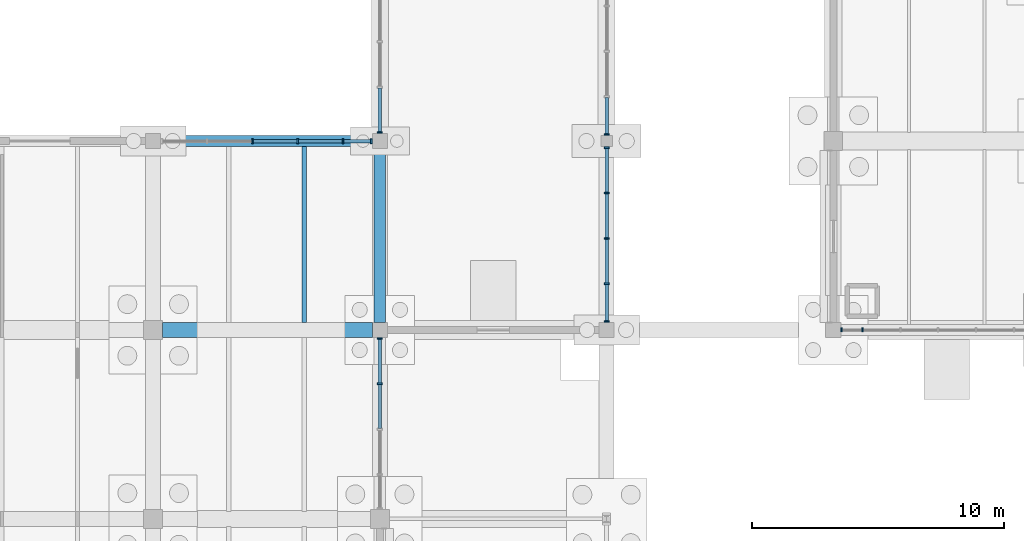
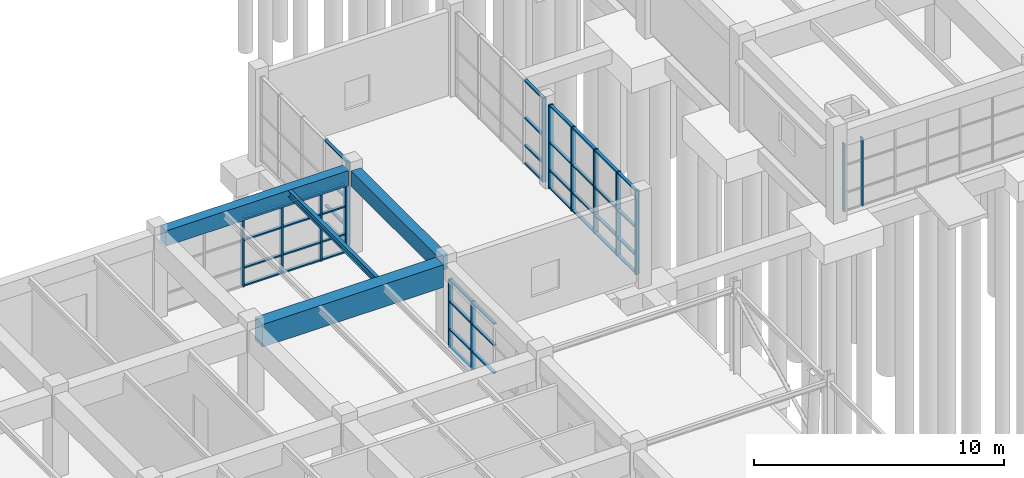
# One storey, part 20 of 93: 58 members, 4 beams, 6 elements without a shape of their own.
"""IFC4 building model written with IfcOpenShell, lengths in metres."""

from ifc_helpers import new_model, si_unit, direction, frame, origin, origin_2d, place, context, subcontext, project, spatial, rectangle, i_section, extrude, material, layer, layer_set, material_profile, profile_set, type_object, element, aggregate, save


model = new_model("IFC4")

# Units and contexts
model_context = context("Model", 3, precision=1e-05, world=origin(), true_north=direction((0.0, 1.0)))
body_context = subcontext(model_context, "Body", "Model", "MODEL_VIEW")
ifc_project = project(units=[si_unit("LENGTHUNIT", "METRE"), si_unit("AREAUNIT", "SQUARE_METRE"), si_unit("VOLUMEUNIT", "CUBIC_METRE"), si_unit("PLANEANGLEUNIT", "RADIAN"), si_unit("MASSUNIT", "GRAM", prefix="KILO")], contexts=[model_context])

# Site, building, storey
site_placement = place(None, origin())
site = spatial("IfcSite", under=ifc_project, at=site_placement, CompositionType="ELEMENT")
building_placement = place(site_placement, origin())
building = spatial("IfcBuilding", under=site, at=building_placement, Name="Marnridge Secondary College", CompositionType="ELEMENT")
storey_placement = place(building_placement, origin())
storey = spatial("IfcBuildingStorey", under=building, at=storey_placement, Name="L00", CompositionType="ELEMENT", Elevation=0.0)

# Beams
ifc_material_1 = material(Name="Concrete C40/50 (AS 3600 N40, 40 MPa)", Category="concrete")
ifc_material_profile_1 = material_profile(ifc_material_1, rectangle(XDim=0.449951171875, YDim=0.75, at=origin_2d()), Name="RC 450x750")
ifc_profile_set_1 = profile_set([ifc_material_profile_1], Name="Concrete C40/50 (AS 3600 N40, 40 MPa)")
beam_type_1 = type_object("IfcBeamType", Name="BM-RC4575-EXT", PredefinedType="SPANDREL", material=ifc_profile_set_1)
beam_1_placement = place(storey_placement, frame((27.2939453125, 45.0, 3.715087890625), z_axis=(1.0, 0.0, 0.0), x_axis=(0.0, 1.0, 0.0)))
element("IfcBeam", 1, at=beam_1_placement, inside=storey, type_object=beam_type_1, Name="Beam BS-L00-0371", PredefinedType="SPANDREL", context=body_context, shape_type="SweptSolid", body=[
    extrude(rectangle(XDim=0.449951171875, YDim=0.75, at=origin_2d()), origin(), (0.0, 0.0, 1.0), 8.412109375),
])
beam_2_placement = place(storey_placement, frame((36.0, 37.7939453125, 3.715087890625), z_axis=(0.0, 1.0, 0.0), x_axis=(-1.0, 0.0, 0.0)))
element("IfcBeam", 2, at=beam_2_placement, inside=storey, type_object=beam_type_1, Name="Beam BS-L00-0372", PredefinedType="SPANDREL", context=body_context, shape_type="SweptSolid", body=[
    extrude(rectangle(XDim=0.449951171875, YDim=0.75, at=origin_2d()), origin(), (0.0, 0.0, 1.0), 6.912109375),
])
ifc_material_2 = material(Name="Concrete C40/50 (AS 3600 N40, 40 MPa)", Category="concrete")
ifc_material_profile_2 = material_profile(ifc_material_2, rectangle(XDim=0.60009765625, YDim=1.10009765625, at=origin_2d()), Name="RC 600x1100")
ifc_profile_set_2 = profile_set([ifc_material_profile_2], Name="Concrete C40/50 (AS 3600 N40, 40 MPa)")
beam_type_2 = type_object("IfcBeamType", Name="BM-RC6011-INT", PredefinedType="BEAM", material=ifc_profile_set_2)
beam_3_placement = place(storey_placement, frame((27.368896484375, 37.5, 3.5400390625), z_axis=(1.0, 0.0, 0.0), x_axis=(0.0, 1.0, 0.0)))
element("IfcBeam", 3, at=beam_3_placement, inside=storey, type_object=beam_type_2, Name="Beam B-L00-0369", PredefinedType="BEAM", context=body_context, shape_type="SweptSolid", body=[
    extrude(rectangle(XDim=0.60009765625, YDim=1.10009765625, at=origin_2d()), origin(), (0.0, 0.0, 1.0), 8.337158203125),
])
ifc_material_3 = material(Name="Structural steel Grade 350 (AS/NZS 3679.1/.2, fy = 340-360 MPa)", Category="steel")
ifc_material_profile_3 = material_profile(ifc_material_3, i_section(OverallWidth=0.166015625, OverallDepth=0.30712890625, WebThickness=0.006591796875, FlangeThickness=0.01171875, FilletRadius=0.011474609375, at=origin_2d()), Name="310UB46.2")
ifc_profile_set_3 = profile_set([ifc_material_profile_3], Name="Structural steel Grade 350 (AS/NZS 3679.1/.2, fy = 340-360 MPa)")
beam_type_3 = type_object("IfcBeamType", Name="BM-UB310A-INT", PredefinedType="BEAM", material=ifc_profile_set_3)
beam_4_placement = place(storey_placement, frame((33.0, 37.7939453125, 3.936279296875), z_axis=(0.0, 1.0, 0.0), x_axis=(-1.0, 0.0, 0.0)))
element("IfcBeam", 4, at=beam_4_placement, inside=storey, type_object=beam_type_3, Name="Beam BJ-L00-0415", PredefinedType="BEAM", context=body_context, shape_type="SweptSolid", body=[
    extrude(i_section(OverallWidth=0.166015625, OverallDepth=0.30712890625, WebThickness=0.006591796875, FlangeThickness=0.01171875, FilletRadius=0.011474609375, at=origin_2d()), origin(), (0.0, 0.0, 1.0), 6.987060546875),
])

# Curtain wall, members
ifc_material_4 = material(Name="Thermally broken aluminium and low-E glazing", Category="aluminium")
ifc_layer_1 = layer(ifc_material_4, 0.159912109375)
ifc_layer_set_1 = layer_set([ifc_layer_1], Name="CW-MOD-1500")
curtain_wall_type_1 = type_object("IfcCurtainWallType", Name="CW-MOD-1500", PredefinedType="NOTDEFINED", material=ifc_layer_set_1)
curtain_wall_1_placement = place(storey_placement, origin())
curtain_wall_1 = element("IfcCurtainWall", 5, at=curtain_wall_1_placement, inside=storey, type_object=curtain_wall_type_1, Name="Unitised curtain wall CW-L00-006", PredefinedType="NOTDEFINED")
ifc_material_5 = material(Name="Anodised aluminium 6063-T6", Category="aluminium")
ifc_material_profile_4 = material_profile(ifc_material_5, rectangle(XDim=0.06005859375, YDim=0.159912109375, at=origin_2d()), Name="ALU 60x160")
ifc_profile_set_4 = profile_set([ifc_material_profile_4], Name="Anodised aluminium 6063-T6")
member_type_1 = type_object("IfcMemberType", Name="CWM-ALU160", PredefinedType="MULLION", material=ifc_profile_set_4)
member_1_placement = place(storey_placement, frame((55.166015625, 37.5, 0.0), z_axis=(0.0, 0.0, 1.0), x_axis=(-1.0, 0.0, 0.0)))
member_1 = element("IfcMember", 6, at=member_1_placement, type_object=member_type_1, Name="CW-L00-006 mullion 6", PredefinedType="MULLION", context=body_context, shape_type="SweptSolid", body=[
    extrude(rectangle(XDim=0.06005859375, YDim=0.159912109375, at=origin_2d()), origin(), (0.0, 0.0, 1.0), 3.322021484375),
])
member_2_placement = place(storey_placement, frame((54.333984375, 37.5, 0.0), z_axis=(0.0, 0.0, 1.0), x_axis=(-1.0, 0.0, 0.0)))
member_2 = element("IfcMember", 7, at=member_2_placement, type_object=member_type_1, Name="CW-L00-006 mullion 7", PredefinedType="MULLION", context=body_context, shape_type="SweptSolid", body=[
    extrude(rectangle(XDim=0.06005859375, YDim=0.159912109375, at=origin_2d()), origin(), (0.0, 0.0, 1.0), 3.322021484375),
])
aggregate(curtain_wall_1, [member_1, member_2])

ifc_material_6 = material(Name="Bronze-anodised aluminium and solar-control glazing", Category="aluminium")
ifc_layer_2 = layer(ifc_material_6, 0.199951171875)
ifc_layer_set_2 = layer_set([ifc_layer_2], Name="CW-MOD-1800")
curtain_wall_type_2 = type_object("IfcCurtainWallType", Name="CW-MOD-1800", PredefinedType="NOTDEFINED", material=ifc_layer_set_2)
curtain_wall_2_placement = place(storey_placement, origin())
curtain_wall_2 = element("IfcCurtainWall", 8, at=curtain_wall_2_placement, inside=storey, type_object=curtain_wall_type_2, Name="Unitised curtain wall CW-L00-019", PredefinedType="NOTDEFINED")
ifc_material_7 = material(Name="Bronze-anodised aluminium 6063-T6", Category="aluminium")
ifc_material_profile_5 = material_profile(ifc_material_7, rectangle(XDim=0.070068359375, YDim=0.199951171875, at=origin_2d()), Name="ALU 70x200")
ifc_profile_set_5 = profile_set([ifc_material_profile_5], Name="Bronze-anodised aluminium 6063-T6")
member_type_2 = type_object("IfcMemberType", Name="CWM-ALU200", PredefinedType="MULLION", material=ifc_profile_set_5)
member_3_placement = place(storey_placement, frame((30.93896484375, 45.0, 0.0), z_axis=(0.0, 0.0, 1.0), x_axis=(1.0, 0.0, 0.0)))
member_3 = element("IfcMember", 9, at=member_3_placement, type_object=member_type_2, Name="CW-L00-019 mullion 3", PredefinedType="MULLION", context=body_context, shape_type="SweptSolid", body=[
    extrude(rectangle(XDim=0.070068359375, YDim=0.199951171875, at=origin_2d()), origin(), (0.0, 0.0, 1.0), 3.33203125),
])
member_4_placement = place(storey_placement, frame((32.739013671875, 45.0, 0.0), z_axis=(0.0, 0.0, 1.0), x_axis=(1.0, 0.0, 0.0)))
member_4 = element("IfcMember", 10, at=member_4_placement, type_object=member_type_2, Name="CW-L00-019 mullion 4", PredefinedType="MULLION", context=body_context, shape_type="SweptSolid", body=[
    extrude(rectangle(XDim=0.070068359375, YDim=0.199951171875, at=origin_2d()), origin(), (0.0, 0.0, 1.0), 3.33203125),
])
member_5_placement = place(storey_placement, frame((34.5390625, 45.0, 0.0), z_axis=(0.0, 0.0, 1.0), x_axis=(1.0, 0.0, 0.0)))
member_5 = element("IfcMember", 11, at=member_5_placement, type_object=member_type_2, Name="CW-L00-019 mullion 5", PredefinedType="MULLION", context=body_context, shape_type="SweptSolid", body=[
    extrude(rectangle(XDim=0.070068359375, YDim=0.199951171875, at=origin_2d()), origin(), (0.0, 0.0, 1.0), 3.33203125),
])
member_6_placement = place(storey_placement, frame((35.660888671875, 45.0, 0.0), z_axis=(0.0, 0.0, 1.0), x_axis=(1.0, 0.0, 0.0)))
member_6 = element("IfcMember", 12, at=member_6_placement, type_object=member_type_2, Name="CW-L00-019 mullion 6", PredefinedType="MULLION", context=body_context, shape_type="SweptSolid", body=[
    extrude(rectangle(XDim=0.070068359375, YDim=0.199951171875, at=origin_2d()), origin(), (0.0, 0.0, 1.0), 3.33203125),
])

# Curtain wall, member
curtain_wall_3_placement = place(storey_placement, origin())
curtain_wall_3 = element("IfcCurtainWall", 13, at=curtain_wall_3_placement, inside=storey, type_object=curtain_wall_type_2, Name="Unitised curtain wall CW-L00-020", PredefinedType="NOTDEFINED")
member_7_placement = place(storey_placement, frame((36.0, 45.339111328125, 0.0), z_axis=(0.0, 0.0, 1.0), x_axis=(0.0, 1.0, 0.0)))
member_7 = element("IfcMember", 14, at=member_7_placement, type_object=member_type_2, Name="CW-L00-020 mullion 1", PredefinedType="MULLION", context=body_context, shape_type="SweptSolid", body=[
    extrude(rectangle(XDim=0.070068359375, YDim=0.199951171875, at=origin_2d()), origin(), (0.0, 0.0, 1.0), 4.090087890625),
])

curtain_wall_4_placement = place(storey_placement, origin())
curtain_wall_4 = element("IfcCurtainWall", 15, at=curtain_wall_4_placement, inside=storey, type_object=curtain_wall_type_2, Name="Unitised curtain wall CW-L00-021", PredefinedType="NOTDEFINED")
member_8_placement = place(storey_placement, frame((45.0, 45.263916015625, 0.0), z_axis=(0.0, 0.0, 1.0), x_axis=(0.0, -1.0, 0.0)))
member_8 = element("IfcMember", 16, at=member_8_placement, type_object=member_type_2, Name="CW-L00-021 mullion 5", PredefinedType="MULLION", context=body_context, shape_type="SweptSolid", body=[
    extrude(rectangle(XDim=0.070068359375, YDim=0.199951171875, at=origin_2d()), origin(), (0.0, 0.0, 1.0), 4.090087890625),
])

# Curtain wall, members
curtain_wall_5_placement = place(storey_placement, origin())
curtain_wall_5 = element("IfcCurtainWall", 17, at=curtain_wall_5_placement, inside=storey, type_object=curtain_wall_type_2, Name="Unitised curtain wall CW-L00-022", PredefinedType="NOTDEFINED")
member_9_placement = place(storey_placement, frame((45.0, 44.736083984375, 0.0), z_axis=(0.0, 0.0, 1.0), x_axis=(0.0, -1.0, 0.0)))
member_9 = element("IfcMember", 18, at=member_9_placement, type_object=member_type_2, Name="CW-L00-022 mullion 1", PredefinedType="MULLION", context=body_context, shape_type="SweptSolid", body=[
    extrude(rectangle(XDim=0.070068359375, YDim=0.199951171875, at=origin_2d()), origin(), (0.0, 0.0, 1.0), 4.090087890625),
])
member_10_placement = place(storey_placement, frame((45.0, 42.93603515625, 0.0), z_axis=(0.0, 0.0, 1.0), x_axis=(0.0, -1.0, 0.0)))
member_10 = element("IfcMember", 19, at=member_10_placement, type_object=member_type_2, Name="CW-L00-022 mullion 2", PredefinedType="MULLION", context=body_context, shape_type="SweptSolid", body=[
    extrude(rectangle(XDim=0.070068359375, YDim=0.199951171875, at=origin_2d()), origin(), (0.0, 0.0, 1.0), 4.090087890625),
])
member_11_placement = place(storey_placement, frame((45.0, 41.135986328125, 0.0), z_axis=(0.0, 0.0, 1.0), x_axis=(0.0, -1.0, 0.0)))
member_11 = element("IfcMember", 20, at=member_11_placement, type_object=member_type_2, Name="CW-L00-022 mullion 3", PredefinedType="MULLION", context=body_context, shape_type="SweptSolid", body=[
    extrude(rectangle(XDim=0.070068359375, YDim=0.199951171875, at=origin_2d()), origin(), (0.0, 0.0, 1.0), 4.090087890625),
])
member_12_placement = place(storey_placement, frame((45.0, 39.3359375, 0.0), z_axis=(0.0, 0.0, 1.0), x_axis=(0.0, -1.0, 0.0)))
member_12 = element("IfcMember", 21, at=member_12_placement, type_object=member_type_2, Name="CW-L00-022 mullion 4", PredefinedType="MULLION", context=body_context, shape_type="SweptSolid", body=[
    extrude(rectangle(XDim=0.070068359375, YDim=0.199951171875, at=origin_2d()), origin(), (0.0, 0.0, 1.0), 4.090087890625),
])
member_13_placement = place(storey_placement, frame((45.0, 37.839111328125, 0.0), z_axis=(0.0, 0.0, 1.0), x_axis=(0.0, -1.0, 0.0)))
member_13 = element("IfcMember", 22, at=member_13_placement, type_object=member_type_2, Name="CW-L00-022 mullion 5", PredefinedType="MULLION", context=body_context, shape_type="SweptSolid", body=[
    extrude(rectangle(XDim=0.070068359375, YDim=0.199951171875, at=origin_2d()), origin(), (0.0, 0.0, 1.0), 4.090087890625),
])

curtain_wall_6_placement = place(storey_placement, origin())
curtain_wall_6 = element("IfcCurtainWall", 23, at=curtain_wall_6_placement, inside=storey, type_object=curtain_wall_type_2, Name="Unitised curtain wall CW-L00-023", PredefinedType="NOTDEFINED")
member_14_placement = place(storey_placement, frame((36.0, 37.160888671875, 0.0), z_axis=(0.0, 0.0, 1.0), x_axis=(0.0, -1.0, 0.0)))
member_14 = element("IfcMember", 24, at=member_14_placement, type_object=member_type_2, Name="CW-L00-023 mullion 1", PredefinedType="MULLION", context=body_context, shape_type="SweptSolid", body=[
    extrude(rectangle(XDim=0.070068359375, YDim=0.199951171875, at=origin_2d()), origin(), (0.0, 0.0, 1.0), 3.33203125),
])
member_15_placement = place(storey_placement, frame((36.0, 35.361083984375, 0.0), z_axis=(0.0, 0.0, 1.0), x_axis=(0.0, -1.0, 0.0)))
member_15 = element("IfcMember", 25, at=member_15_placement, type_object=member_type_2, Name="CW-L00-023 mullion 2", PredefinedType="MULLION", context=body_context, shape_type="SweptSolid", body=[
    extrude(rectangle(XDim=0.070068359375, YDim=0.199951171875, at=origin_2d()), origin(), (0.0, 0.0, 1.0), 3.33203125),
])

# Member
ifc_material_8 = material(Name="Anodised aluminium 6063-T6", Category="aluminium")
ifc_material_profile_6 = material_profile(ifc_material_8, rectangle(XDim=0.06494140625, YDim=0.139892578125, at=origin_2d()), Name="ALU 65x140")
ifc_profile_set_6 = profile_set([ifc_material_profile_6], Name="Anodised aluminium 6063-T6")
member_type_3 = type_object("IfcMemberType", Name="CWT-ALU140", PredefinedType="USERDEFINED", material=ifc_profile_set_6)
member_16_placement = place(storey_placement, frame((30.97412109375, 45.0, 0.032470703125), z_axis=(1.0, 0.0, 0.0), x_axis=(0.0, 0.0, 1.0)))
member_16 = element("IfcMember", 26, at=member_16_placement, type_object=member_type_3, Name="CW-L00-019 transom 3.1", ObjectType="TRANSOM", PredefinedType="USERDEFINED", context=body_context, shape_type="SweptSolid", body=[
    extrude(rectangle(XDim=0.06494140625, YDim=0.139892578125, at=origin_2d()), origin(), (0.0, 0.0, 1.0), 1.72998046875),
])

member_17_placement = place(storey_placement, frame((30.97412109375, 45.0, 0.89990234375), z_axis=(1.0, 0.0, 0.0), x_axis=(0.0, 0.0, 1.0)))
member_17 = element("IfcMember", 27, at=member_17_placement, type_object=member_type_3, Name="CW-L00-019 transom 3.2", ObjectType="TRANSOM", PredefinedType="USERDEFINED", context=body_context, shape_type="SweptSolid", body=[
    extrude(rectangle(XDim=0.06494140625, YDim=0.139892578125, at=origin_2d()), origin(), (0.0, 0.0, 1.0), 1.72998046875),
])

member_18_placement = place(storey_placement, frame((30.97412109375, 45.0, 2.25), z_axis=(1.0, 0.0, 0.0), x_axis=(0.0, 0.0, 1.0)))
member_18 = element("IfcMember", 28, at=member_18_placement, type_object=member_type_3, Name="CW-L00-019 transom 3.3", ObjectType="TRANSOM", PredefinedType="USERDEFINED", context=body_context, shape_type="SweptSolid", body=[
    extrude(rectangle(XDim=0.06494140625, YDim=0.139892578125, at=origin_2d()), origin(), (0.0, 0.0, 1.0), 1.72998046875),
])

member_19_placement = place(storey_placement, frame((30.97412109375, 45.0, 3.299560546875), z_axis=(1.0, 0.0, 0.0), x_axis=(0.0, 0.0, 1.0)))
member_19 = element("IfcMember", 29, at=member_19_placement, type_object=member_type_3, Name="CW-L00-019 transom 3.4", ObjectType="TRANSOM", PredefinedType="USERDEFINED", context=body_context, shape_type="SweptSolid", body=[
    extrude(rectangle(XDim=0.06494140625, YDim=0.139892578125, at=origin_2d()), origin(), (0.0, 0.0, 1.0), 1.72998046875),
])

member_20_placement = place(storey_placement, frame((32.77392578125, 45.0, 0.032470703125), z_axis=(1.0, 0.0, 0.0), x_axis=(0.0, 0.0, 1.0)))
member_20 = element("IfcMember", 30, at=member_20_placement, type_object=member_type_3, Name="CW-L00-019 transom 4.1", ObjectType="TRANSOM", PredefinedType="USERDEFINED", context=body_context, shape_type="SweptSolid", body=[
    extrude(rectangle(XDim=0.06494140625, YDim=0.139892578125, at=origin_2d()), origin(), (0.0, 0.0, 1.0), 1.72998046875),
])

member_21_placement = place(storey_placement, frame((32.77392578125, 45.0, 0.89990234375), z_axis=(1.0, 0.0, 0.0), x_axis=(0.0, 0.0, 1.0)))
member_21 = element("IfcMember", 31, at=member_21_placement, type_object=member_type_3, Name="CW-L00-019 transom 4.2", ObjectType="TRANSOM", PredefinedType="USERDEFINED", context=body_context, shape_type="SweptSolid", body=[
    extrude(rectangle(XDim=0.06494140625, YDim=0.139892578125, at=origin_2d()), origin(), (0.0, 0.0, 1.0), 1.72998046875),
])

member_22_placement = place(storey_placement, frame((32.77392578125, 45.0, 2.25), z_axis=(1.0, 0.0, 0.0), x_axis=(0.0, 0.0, 1.0)))
member_22 = element("IfcMember", 32, at=member_22_placement, type_object=member_type_3, Name="CW-L00-019 transom 4.3", ObjectType="TRANSOM", PredefinedType="USERDEFINED", context=body_context, shape_type="SweptSolid", body=[
    extrude(rectangle(XDim=0.06494140625, YDim=0.139892578125, at=origin_2d()), origin(), (0.0, 0.0, 1.0), 1.72998046875),
])

member_23_placement = place(storey_placement, frame((32.77392578125, 45.0, 3.299560546875), z_axis=(1.0, 0.0, 0.0), x_axis=(0.0, 0.0, 1.0)))
member_23 = element("IfcMember", 33, at=member_23_placement, type_object=member_type_3, Name="CW-L00-019 transom 4.4", ObjectType="TRANSOM", PredefinedType="USERDEFINED", context=body_context, shape_type="SweptSolid", body=[
    extrude(rectangle(XDim=0.06494140625, YDim=0.139892578125, at=origin_2d()), origin(), (0.0, 0.0, 1.0), 1.72998046875),
])

member_24_placement = place(storey_placement, frame((34.573974609375, 45.0, 0.032470703125), z_axis=(1.0, 0.0, 0.0), x_axis=(0.0, 0.0, 1.0)))
member_24 = element("IfcMember", 34, at=member_24_placement, type_object=member_type_3, Name="CW-L00-019 transom 5.1", ObjectType="TRANSOM", PredefinedType="USERDEFINED", context=body_context, shape_type="SweptSolid", body=[
    extrude(rectangle(XDim=0.06494140625, YDim=0.139892578125, at=origin_2d()), origin(), (0.0, 0.0, 1.0), 1.052001953125),
])

member_25_placement = place(storey_placement, frame((34.573974609375, 45.0, 0.89990234375), z_axis=(1.0, 0.0, 0.0), x_axis=(0.0, 0.0, 1.0)))
member_25 = element("IfcMember", 35, at=member_25_placement, type_object=member_type_3, Name="CW-L00-019 transom 5.2", ObjectType="TRANSOM", PredefinedType="USERDEFINED", context=body_context, shape_type="SweptSolid", body=[
    extrude(rectangle(XDim=0.06494140625, YDim=0.139892578125, at=origin_2d()), origin(), (0.0, 0.0, 1.0), 1.052001953125),
])

member_26_placement = place(storey_placement, frame((34.573974609375, 45.0, 2.25), z_axis=(1.0, 0.0, 0.0), x_axis=(0.0, 0.0, 1.0)))
member_26 = element("IfcMember", 36, at=member_26_placement, type_object=member_type_3, Name="CW-L00-019 transom 5.3", ObjectType="TRANSOM", PredefinedType="USERDEFINED", context=body_context, shape_type="SweptSolid", body=[
    extrude(rectangle(XDim=0.06494140625, YDim=0.139892578125, at=origin_2d()), origin(), (0.0, 0.0, 1.0), 1.052001953125),
])

member_27_placement = place(storey_placement, frame((34.573974609375, 45.0, 3.299560546875), z_axis=(1.0, 0.0, 0.0), x_axis=(0.0, 0.0, 1.0)))
member_27 = element("IfcMember", 37, at=member_27_placement, type_object=member_type_3, Name="CW-L00-019 transom 5.4", ObjectType="TRANSOM", PredefinedType="USERDEFINED", context=body_context, shape_type="SweptSolid", body=[
    extrude(rectangle(XDim=0.06494140625, YDim=0.139892578125, at=origin_2d()), origin(), (0.0, 0.0, 1.0), 1.052001953125),
])

aggregate(curtain_wall_2, [member_3, member_4, member_5, member_6, member_16, member_17, member_18, member_19, member_20, member_21, member_22, member_23, member_24, member_25, member_26, member_27])

member_28_placement = place(storey_placement, frame((36.0, 45.3740234375, 0.032470703125), z_axis=(0.0, 1.0, 0.0), x_axis=(0.0, 0.0, 1.0)))
member_28 = element("IfcMember", 38, at=member_28_placement, type_object=member_type_3, Name="CW-L00-020 transom 1.1", ObjectType="TRANSOM", PredefinedType="USERDEFINED", context=body_context, shape_type="SweptSolid", body=[
    extrude(rectangle(XDim=0.06494140625, YDim=0.139892578125, at=origin_2d()), origin(), (0.0, 0.0, 1.0), 1.72998046875),
])

member_29_placement = place(storey_placement, frame((36.0, 45.3740234375, 0.89990234375), z_axis=(0.0, 1.0, 0.0), x_axis=(0.0, 0.0, 1.0)))
member_29 = element("IfcMember", 39, at=member_29_placement, type_object=member_type_3, Name="CW-L00-020 transom 1.2", ObjectType="TRANSOM", PredefinedType="USERDEFINED", context=body_context, shape_type="SweptSolid", body=[
    extrude(rectangle(XDim=0.06494140625, YDim=0.139892578125, at=origin_2d()), origin(), (0.0, 0.0, 1.0), 1.72998046875),
])

member_30_placement = place(storey_placement, frame((36.0, 45.3740234375, 2.25), z_axis=(0.0, 1.0, 0.0), x_axis=(0.0, 0.0, 1.0)))
member_30 = element("IfcMember", 40, at=member_30_placement, type_object=member_type_3, Name="CW-L00-020 transom 1.3", ObjectType="TRANSOM", PredefinedType="USERDEFINED", context=body_context, shape_type="SweptSolid", body=[
    extrude(rectangle(XDim=0.06494140625, YDim=0.139892578125, at=origin_2d()), origin(), (0.0, 0.0, 1.0), 1.72998046875),
])

member_31_placement = place(storey_placement, frame((36.0, 45.3740234375, 4.0576171875), z_axis=(0.0, 1.0, 0.0), x_axis=(0.0, 0.0, 1.0)))
member_31 = element("IfcMember", 41, at=member_31_placement, type_object=member_type_3, Name="CW-L00-020 transom 1.4", ObjectType="TRANSOM", PredefinedType="USERDEFINED", context=body_context, shape_type="SweptSolid", body=[
    extrude(rectangle(XDim=0.06494140625, YDim=0.139892578125, at=origin_2d()), origin(), (0.0, 0.0, 1.0), 1.72998046875),
])

aggregate(curtain_wall_3, [member_7, member_28, member_29, member_30, member_31])

member_32_placement = place(storey_placement, frame((45.0, 46.72607421875, 0.032470703125), z_axis=(0.0, -1.0, 0.0), x_axis=(0.0, 0.0, 1.0)))
member_32 = element("IfcMember", 42, at=member_32_placement, type_object=member_type_3, Name="CW-L00-021 transom 4.1", ObjectType="TRANSOM", PredefinedType="USERDEFINED", context=body_context, shape_type="SweptSolid", body=[
    extrude(rectangle(XDim=0.06494140625, YDim=0.139892578125, at=origin_2d()), origin(), (0.0, 0.0, 1.0), 1.427001953125),
])

member_33_placement = place(storey_placement, frame((45.0, 46.72607421875, 0.89990234375), z_axis=(0.0, -1.0, 0.0), x_axis=(0.0, 0.0, 1.0)))
member_33 = element("IfcMember", 43, at=member_33_placement, type_object=member_type_3, Name="CW-L00-021 transom 4.2", ObjectType="TRANSOM", PredefinedType="USERDEFINED", context=body_context, shape_type="SweptSolid", body=[
    extrude(rectangle(XDim=0.06494140625, YDim=0.139892578125, at=origin_2d()), origin(), (0.0, 0.0, 1.0), 1.427001953125),
])

member_34_placement = place(storey_placement, frame((45.0, 46.72607421875, 2.25), z_axis=(0.0, -1.0, 0.0), x_axis=(0.0, 0.0, 1.0)))
member_34 = element("IfcMember", 44, at=member_34_placement, type_object=member_type_3, Name="CW-L00-021 transom 4.3", ObjectType="TRANSOM", PredefinedType="USERDEFINED", context=body_context, shape_type="SweptSolid", body=[
    extrude(rectangle(XDim=0.06494140625, YDim=0.139892578125, at=origin_2d()), origin(), (0.0, 0.0, 1.0), 1.427001953125),
])

member_35_placement = place(storey_placement, frame((45.0, 46.72607421875, 4.0576171875), z_axis=(0.0, -1.0, 0.0), x_axis=(0.0, 0.0, 1.0)))
member_35 = element("IfcMember", 45, at=member_35_placement, type_object=member_type_3, Name="CW-L00-021 transom 4.4", ObjectType="TRANSOM", PredefinedType="USERDEFINED", context=body_context, shape_type="SweptSolid", body=[
    extrude(rectangle(XDim=0.06494140625, YDim=0.139892578125, at=origin_2d()), origin(), (0.0, 0.0, 1.0), 1.427001953125),
])

aggregate(curtain_wall_4, [member_8, member_32, member_33, member_34, member_35])

member_36_placement = place(storey_placement, frame((45.0, 44.700927734375, 0.032470703125), z_axis=(0.0, -1.0, 0.0), x_axis=(0.0, 0.0, 1.0)))
member_36 = element("IfcMember", 46, at=member_36_placement, type_object=member_type_3, Name="CW-L00-022 transom 1.1", ObjectType="TRANSOM", PredefinedType="USERDEFINED", context=body_context, shape_type="SweptSolid", body=[
    extrude(rectangle(XDim=0.06494140625, YDim=0.139892578125, at=origin_2d()), origin(), (0.0, 0.0, 1.0), 1.72998046875),
])

member_37_placement = place(storey_placement, frame((45.0, 44.700927734375, 0.89990234375), z_axis=(0.0, -1.0, 0.0), x_axis=(0.0, 0.0, 1.0)))
member_37 = element("IfcMember", 47, at=member_37_placement, type_object=member_type_3, Name="CW-L00-022 transom 1.2", ObjectType="TRANSOM", PredefinedType="USERDEFINED", context=body_context, shape_type="SweptSolid", body=[
    extrude(rectangle(XDim=0.06494140625, YDim=0.139892578125, at=origin_2d()), origin(), (0.0, 0.0, 1.0), 1.72998046875),
])

member_38_placement = place(storey_placement, frame((45.0, 44.700927734375, 2.25), z_axis=(0.0, -1.0, 0.0), x_axis=(0.0, 0.0, 1.0)))
member_38 = element("IfcMember", 48, at=member_38_placement, type_object=member_type_3, Name="CW-L00-022 transom 1.3", ObjectType="TRANSOM", PredefinedType="USERDEFINED", context=body_context, shape_type="SweptSolid", body=[
    extrude(rectangle(XDim=0.06494140625, YDim=0.139892578125, at=origin_2d()), origin(), (0.0, 0.0, 1.0), 1.72998046875),
])

member_39_placement = place(storey_placement, frame((45.0, 44.700927734375, 4.0576171875), z_axis=(0.0, -1.0, 0.0), x_axis=(0.0, 0.0, 1.0)))
member_39 = element("IfcMember", 49, at=member_39_placement, type_object=member_type_3, Name="CW-L00-022 transom 1.4", ObjectType="TRANSOM", PredefinedType="USERDEFINED", context=body_context, shape_type="SweptSolid", body=[
    extrude(rectangle(XDim=0.06494140625, YDim=0.139892578125, at=origin_2d()), origin(), (0.0, 0.0, 1.0), 1.72998046875),
])

member_40_placement = place(storey_placement, frame((45.0, 42.90087890625, 0.032470703125), z_axis=(0.0, -1.0, 0.0), x_axis=(0.0, 0.0, 1.0)))
member_40 = element("IfcMember", 50, at=member_40_placement, type_object=member_type_3, Name="CW-L00-022 transom 2.1", ObjectType="TRANSOM", PredefinedType="USERDEFINED", context=body_context, shape_type="SweptSolid", body=[
    extrude(rectangle(XDim=0.06494140625, YDim=0.139892578125, at=origin_2d()), origin(), (0.0, 0.0, 1.0), 1.72998046875),
])

member_41_placement = place(storey_placement, frame((45.0, 42.90087890625, 0.89990234375), z_axis=(0.0, -1.0, 0.0), x_axis=(0.0, 0.0, 1.0)))
member_41 = element("IfcMember", 51, at=member_41_placement, type_object=member_type_3, Name="CW-L00-022 transom 2.2", ObjectType="TRANSOM", PredefinedType="USERDEFINED", context=body_context, shape_type="SweptSolid", body=[
    extrude(rectangle(XDim=0.06494140625, YDim=0.139892578125, at=origin_2d()), origin(), (0.0, 0.0, 1.0), 1.72998046875),
])

member_42_placement = place(storey_placement, frame((45.0, 42.90087890625, 2.25), z_axis=(0.0, -1.0, 0.0), x_axis=(0.0, 0.0, 1.0)))
member_42 = element("IfcMember", 52, at=member_42_placement, type_object=member_type_3, Name="CW-L00-022 transom 2.3", ObjectType="TRANSOM", PredefinedType="USERDEFINED", context=body_context, shape_type="SweptSolid", body=[
    extrude(rectangle(XDim=0.06494140625, YDim=0.139892578125, at=origin_2d()), origin(), (0.0, 0.0, 1.0), 1.72998046875),
])

member_43_placement = place(storey_placement, frame((45.0, 42.90087890625, 4.0576171875), z_axis=(0.0, -1.0, 0.0), x_axis=(0.0, 0.0, 1.0)))
member_43 = element("IfcMember", 53, at=member_43_placement, type_object=member_type_3, Name="CW-L00-022 transom 2.4", ObjectType="TRANSOM", PredefinedType="USERDEFINED", context=body_context, shape_type="SweptSolid", body=[
    extrude(rectangle(XDim=0.06494140625, YDim=0.139892578125, at=origin_2d()), origin(), (0.0, 0.0, 1.0), 1.72998046875),
])

member_44_placement = place(storey_placement, frame((45.0, 41.10107421875, 0.032470703125), z_axis=(0.0, -1.0, 0.0), x_axis=(0.0, 0.0, 1.0)))
member_44 = element("IfcMember", 54, at=member_44_placement, type_object=member_type_3, Name="CW-L00-022 transom 3.1", ObjectType="TRANSOM", PredefinedType="USERDEFINED", context=body_context, shape_type="SweptSolid", body=[
    extrude(rectangle(XDim=0.06494140625, YDim=0.139892578125, at=origin_2d()), origin(), (0.0, 0.0, 1.0), 1.72998046875),
])

member_45_placement = place(storey_placement, frame((45.0, 41.10107421875, 0.89990234375), z_axis=(0.0, -1.0, 0.0), x_axis=(0.0, 0.0, 1.0)))
member_45 = element("IfcMember", 55, at=member_45_placement, type_object=member_type_3, Name="CW-L00-022 transom 3.2", ObjectType="TRANSOM", PredefinedType="USERDEFINED", context=body_context, shape_type="SweptSolid", body=[
    extrude(rectangle(XDim=0.06494140625, YDim=0.139892578125, at=origin_2d()), origin(), (0.0, 0.0, 1.0), 1.72998046875),
])

member_46_placement = place(storey_placement, frame((45.0, 41.10107421875, 2.25), z_axis=(0.0, -1.0, 0.0), x_axis=(0.0, 0.0, 1.0)))
member_46 = element("IfcMember", 56, at=member_46_placement, type_object=member_type_3, Name="CW-L00-022 transom 3.3", ObjectType="TRANSOM", PredefinedType="USERDEFINED", context=body_context, shape_type="SweptSolid", body=[
    extrude(rectangle(XDim=0.06494140625, YDim=0.139892578125, at=origin_2d()), origin(), (0.0, 0.0, 1.0), 1.72998046875),
])

member_47_placement = place(storey_placement, frame((45.0, 41.10107421875, 4.0576171875), z_axis=(0.0, -1.0, 0.0), x_axis=(0.0, 0.0, 1.0)))
member_47 = element("IfcMember", 57, at=member_47_placement, type_object=member_type_3, Name="CW-L00-022 transom 3.4", ObjectType="TRANSOM", PredefinedType="USERDEFINED", context=body_context, shape_type="SweptSolid", body=[
    extrude(rectangle(XDim=0.06494140625, YDim=0.139892578125, at=origin_2d()), origin(), (0.0, 0.0, 1.0), 1.72998046875),
])

member_48_placement = place(storey_placement, frame((45.0, 39.301025390625, 0.032470703125), z_axis=(0.0, -1.0, 0.0), x_axis=(0.0, 0.0, 1.0)))
member_48 = element("IfcMember", 58, at=member_48_placement, type_object=member_type_3, Name="CW-L00-022 transom 4.1", ObjectType="TRANSOM", PredefinedType="USERDEFINED", context=body_context, shape_type="SweptSolid", body=[
    extrude(rectangle(XDim=0.06494140625, YDim=0.139892578125, at=origin_2d()), origin(), (0.0, 0.0, 1.0), 1.427001953125),
])

member_49_placement = place(storey_placement, frame((45.0, 39.301025390625, 0.89990234375), z_axis=(0.0, -1.0, 0.0), x_axis=(0.0, 0.0, 1.0)))
member_49 = element("IfcMember", 59, at=member_49_placement, type_object=member_type_3, Name="CW-L00-022 transom 4.2", ObjectType="TRANSOM", PredefinedType="USERDEFINED", context=body_context, shape_type="SweptSolid", body=[
    extrude(rectangle(XDim=0.06494140625, YDim=0.139892578125, at=origin_2d()), origin(), (0.0, 0.0, 1.0), 1.427001953125),
])

member_50_placement = place(storey_placement, frame((45.0, 39.301025390625, 2.25), z_axis=(0.0, -1.0, 0.0), x_axis=(0.0, 0.0, 1.0)))
member_50 = element("IfcMember", 60, at=member_50_placement, type_object=member_type_3, Name="CW-L00-022 transom 4.3", ObjectType="TRANSOM", PredefinedType="USERDEFINED", context=body_context, shape_type="SweptSolid", body=[
    extrude(rectangle(XDim=0.06494140625, YDim=0.139892578125, at=origin_2d()), origin(), (0.0, 0.0, 1.0), 1.427001953125),
])

member_51_placement = place(storey_placement, frame((45.0, 39.301025390625, 4.0576171875), z_axis=(0.0, -1.0, 0.0), x_axis=(0.0, 0.0, 1.0)))
member_51 = element("IfcMember", 61, at=member_51_placement, type_object=member_type_3, Name="CW-L00-022 transom 4.4", ObjectType="TRANSOM", PredefinedType="USERDEFINED", context=body_context, shape_type="SweptSolid", body=[
    extrude(rectangle(XDim=0.06494140625, YDim=0.139892578125, at=origin_2d()), origin(), (0.0, 0.0, 1.0), 1.427001953125),
])

aggregate(curtain_wall_5, [member_9, member_10, member_11, member_12, member_13, member_36, member_37, member_38, member_39, member_40, member_41, member_42, member_43, member_44, member_45, member_46, member_47, member_48, member_49, member_50, member_51])

member_52_placement = place(storey_placement, frame((36.0, 37.1259765625, 0.032470703125), z_axis=(0.0, -1.0, 0.0), x_axis=(0.0, 0.0, 1.0)))
member_52 = element("IfcMember", 62, at=member_52_placement, type_object=member_type_3, Name="CW-L00-023 transom 1.1", ObjectType="TRANSOM", PredefinedType="USERDEFINED", context=body_context, shape_type="SweptSolid", body=[
    extrude(rectangle(XDim=0.06494140625, YDim=0.139892578125, at=origin_2d()), origin(), (0.0, 0.0, 1.0), 1.72998046875),
])

member_53_placement = place(storey_placement, frame((36.0, 37.1259765625, 0.89990234375), z_axis=(0.0, -1.0, 0.0), x_axis=(0.0, 0.0, 1.0)))
member_53 = element("IfcMember", 63, at=member_53_placement, type_object=member_type_3, Name="CW-L00-023 transom 1.2", ObjectType="TRANSOM", PredefinedType="USERDEFINED", context=body_context, shape_type="SweptSolid", body=[
    extrude(rectangle(XDim=0.06494140625, YDim=0.139892578125, at=origin_2d()), origin(), (0.0, 0.0, 1.0), 1.72998046875),
])

member_54_placement = place(storey_placement, frame((36.0, 37.1259765625, 2.25), z_axis=(0.0, -1.0, 0.0), x_axis=(0.0, 0.0, 1.0)))
member_54 = element("IfcMember", 64, at=member_54_placement, type_object=member_type_3, Name="CW-L00-023 transom 1.3", ObjectType="TRANSOM", PredefinedType="USERDEFINED", context=body_context, shape_type="SweptSolid", body=[
    extrude(rectangle(XDim=0.06494140625, YDim=0.139892578125, at=origin_2d()), origin(), (0.0, 0.0, 1.0), 1.72998046875),
])

member_55_placement = place(storey_placement, frame((36.0, 37.1259765625, 3.299560546875), z_axis=(0.0, -1.0, 0.0), x_axis=(0.0, 0.0, 1.0)))
member_55 = element("IfcMember", 65, at=member_55_placement, type_object=member_type_3, Name="CW-L00-023 transom 1.4", ObjectType="TRANSOM", PredefinedType="USERDEFINED", context=body_context, shape_type="SweptSolid", body=[
    extrude(rectangle(XDim=0.06494140625, YDim=0.139892578125, at=origin_2d()), origin(), (0.0, 0.0, 1.0), 1.72998046875),
])

member_56_placement = place(storey_placement, frame((36.0, 35.325927734375, 0.89990234375), z_axis=(0.0, -1.0, 0.0), x_axis=(0.0, 0.0, 1.0)))
member_56 = element("IfcMember", 66, at=member_56_placement, type_object=member_type_3, Name="CW-L00-023 transom 2.2", ObjectType="TRANSOM", PredefinedType="USERDEFINED", context=body_context, shape_type="SweptSolid", body=[
    extrude(rectangle(XDim=0.06494140625, YDim=0.139892578125, at=origin_2d()), origin(), (0.0, 0.0, 1.0), 1.72998046875),
])

member_57_placement = place(storey_placement, frame((36.0, 35.325927734375, 2.25), z_axis=(0.0, -1.0, 0.0), x_axis=(0.0, 0.0, 1.0)))
member_57 = element("IfcMember", 67, at=member_57_placement, type_object=member_type_3, Name="CW-L00-023 transom 2.3", ObjectType="TRANSOM", PredefinedType="USERDEFINED", context=body_context, shape_type="SweptSolid", body=[
    extrude(rectangle(XDim=0.06494140625, YDim=0.139892578125, at=origin_2d()), origin(), (0.0, 0.0, 1.0), 1.72998046875),
])

member_58_placement = place(storey_placement, frame((36.0, 35.325927734375, 3.299560546875), z_axis=(0.0, -1.0, 0.0), x_axis=(0.0, 0.0, 1.0)))
member_58 = element("IfcMember", 68, at=member_58_placement, type_object=member_type_3, Name="CW-L00-023 transom 2.4", ObjectType="TRANSOM", PredefinedType="USERDEFINED", context=body_context, shape_type="SweptSolid", body=[
    extrude(rectangle(XDim=0.06494140625, YDim=0.139892578125, at=origin_2d()), origin(), (0.0, 0.0, 1.0), 1.72998046875),
])

aggregate(curtain_wall_6, [member_14, member_15, member_52, member_53, member_54, member_55, member_56, member_57, member_58])

save(model, "model.ifc")
